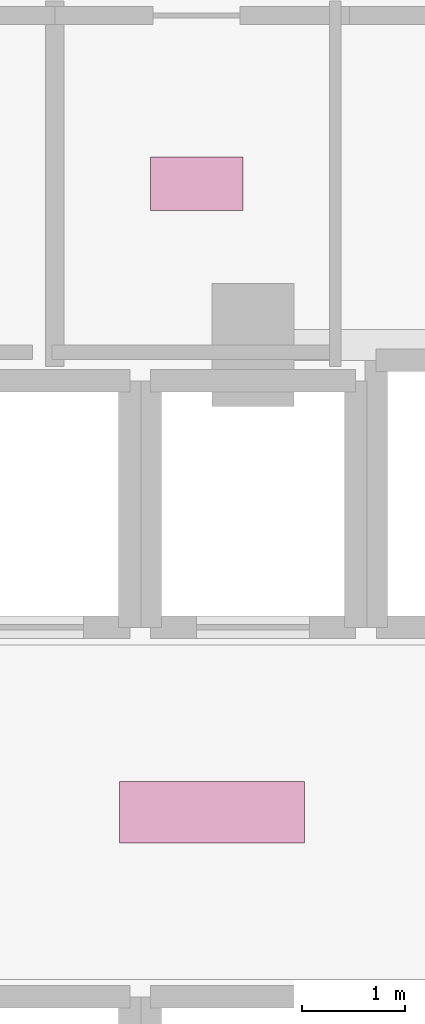
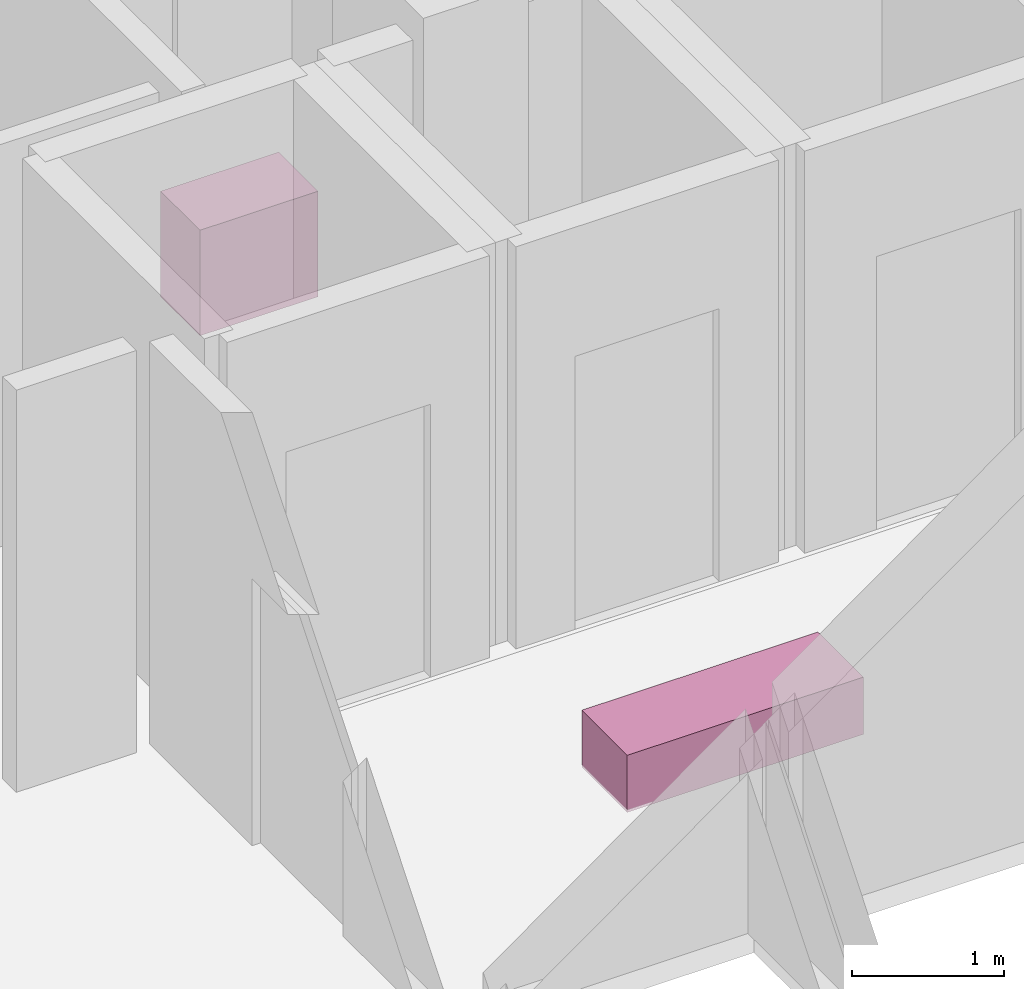
# One storey, part 34 of 34: 2 furnishings.
"""IFC4 building model written with IfcOpenShell, lengths in metres."""

import ifcopenshell
import ifcopenshell.guid

model = None  # the IFC model being written
_history = None  # IfcOwnerHistory: only IFC2X3 demands one
_inside = {}  # id of a spatial element -> (the spatial element, [elements in it])
_under = {}  # id of a project, library or spatial element -> (it, [spatial elements below it])
_declared = {}  # id of a project -> (the project, [libraries it declares])
_typed = {}  # id of a type object -> (the type object, [elements of that type])
_made_of = {}  # id of a material, layer set ... -> (it, [elements and type objects made of it])


def new_model(schema):
    """Start an empty IFC model of exactly this schema.

    Asked for "IFC4X3", IfcOpenShell would pick the latest addendum, in which some entities
    have other attributes; the version numbers below select the first issue.
    IFC2X3 requires an IfcOwnerHistory on every rooted entity: one is made here for all.
    """
    global model, _history
    if schema == "IFC4X3":
        model = ifcopenshell.file(schema_version=(4, 3, 0, 0))
    else:
        model = ifcopenshell.file(schema=schema)
    _inside.clear()
    _under.clear()
    _declared.clear()
    _typed.clear()
    _made_of.clear()
    _history = None
    if model.schema == "IFC2X3":
        org = make("IfcOrganization", Name="unknown")
        user = make(
            "IfcPersonAndOrganization",
            ThePerson=make("IfcPerson", FamilyName="unknown"),
            TheOrganization=org,
        )
        app = make(
            "IfcApplication",
            ApplicationDeveloper=org,
            Version="unknown",
            ApplicationFullName="unknown",
            ApplicationIdentifier="unknown",
        )
        _history = make(
            "IfcOwnerHistory",
            OwningUser=user,
            OwningApplication=app,
            ChangeAction="ADDED",
            CreationDate=0,
        )
    return model


def make(cls, **values):
    """One entity of the class cls with the attributes given. An attribute that is None is left unset."""
    return model.create_entity(
        cls, **{name: value for name, value in values.items() if value is not None}
    )


def rooted(cls, **values):
    """An entity with a GlobalId (a new one), such as an element, a storey or a relation."""
    return make(cls, GlobalId=ifcopenshell.guid.new(), OwnerHistory=_history, **values)


def si_unit(unit_type, name, prefix=None):
    """IfcSIUnit, for example si_unit("LENGTHUNIT", "METRE", prefix="MILLI")."""
    return make("IfcSIUnit", UnitType=unit_type, Prefix=prefix, Name=name)


def assignment(units):
    """IfcUnitAssignment: the units of a project."""
    return None if units is None else make("IfcUnitAssignment", Units=units)


def point(xyz):
    """IfcCartesianPoint."""
    return None if xyz is None else make("IfcCartesianPoint", Coordinates=xyz)


def direction(xyz):
    """IfcDirection."""
    return None if xyz is None else make("IfcDirection", DirectionRatios=xyz)


def frame(location, z_axis=None, x_axis=None):
    """IfcAxis2Placement3D, a coordinate frame: its origin and axes. An axis left out is left unset."""
    return make(
        "IfcAxis2Placement3D",
        Location=point(location),
        Axis=direction(z_axis),
        RefDirection=direction(x_axis),
    )


def frame_2d(location, x_axis=None):
    """IfcAxis2Placement2D, a coordinate frame in the plane: its origin and x axis."""
    return make(
        "IfcAxis2Placement2D", Location=point(location), RefDirection=direction(x_axis)
    )


def origin():
    """The frame at (0, 0, 0) with its axes left unset."""
    return frame((0.0, 0.0, 0.0))


def origin_2d():
    """The frame at (0, 0) in the plane with its x axis left unset."""
    return frame_2d((0.0, 0.0))


def place(relative_to, where):
    """IfcLocalPlacement: puts the frame where relative to a parent placement (None: the world)."""
    return make(
        "IfcLocalPlacement", PlacementRelTo=relative_to, RelativePlacement=where
    )


def context(
    kind, dimensions, precision=None, world=None, true_north=None, identifier=None
):
    """IfcGeometricRepresentationContext, for example the 3D "Model" context."""
    return make(
        "IfcGeometricRepresentationContext",
        ContextIdentifier=identifier,
        ContextType=kind,
        CoordinateSpaceDimension=dimensions,
        Precision=precision,
        WorldCoordinateSystem=world,
        TrueNorth=true_north,
    )


def subcontext(parent, identifier, kind, view, scale=None):
    """IfcGeometricRepresentationSubContext, for example "Body" below "Model"."""
    return make(
        "IfcGeometricRepresentationSubContext",
        ContextIdentifier=identifier,
        ContextType=kind,
        ParentContext=parent,
        TargetScale=scale,
        TargetView=view,
    )


def project(units=None, contexts=None):
    """IfcProject with its units and contexts."""
    return rooted(
        "IfcProject",
        Name="project",
        RepresentationContexts=contexts,
        UnitsInContext=assignment(units),
    )


def spatial(cls, under=None, at=None, **own):
    """A site, building, storey or space (cls), placed at a placement, below another one or the project."""
    s = rooted(cls, ObjectPlacement=at, **own)
    if under is not None:
        _under.setdefault(under.id(), (under, []))[1].append(s)
    return s


def profile(cls, at=None, kind="AREA", **sizes):
    """A parametric profile (cls). Its sizes go by their IFC names, for example OverallWidth=200.0."""
    return make(cls, ProfileType=kind, Position=at, **sizes)


def rectangle(**sizes):
    """IfcRectangleProfileDef."""
    return profile("IfcRectangleProfileDef", **sizes)


def extrude(swept, where, along, depth):
    """IfcExtrudedAreaSolid: the profile swept, set in the frame where, extruded along a direction by depth."""
    return make(
        "IfcExtrudedAreaSolid",
        SweptArea=swept,
        Position=where,
        ExtrudedDirection=direction(along),
        Depth=depth,
    )


def shape(context_of_items, identifier, shape_type, items):
    """IfcShapeRepresentation: the items that make up one representation, for example the "Body"."""
    return make(
        "IfcShapeRepresentation",
        ContextOfItems=context_of_items,
        RepresentationIdentifier=identifier,
        RepresentationType=shape_type,
        Items=items,
    )


def material(Name=None, Category=None):
    """IfcMaterial."""
    return make("IfcMaterial", Name=Name, Category=Category)


def made_of(thing, what):
    """Note that an element or type object is made of a material, layer set ...; save() writes the relation."""
    if what is not None:
        _made_of.setdefault(what.id(), (what, []))[1].append(thing)
    return thing


def type_object(cls, material=None, **own):
    """A type object (cls), such as IfcWallType, which elements share."""
    return made_of(rooted(cls, **own), material)


def element(
    cls,
    number,
    at=None,
    inside=None,
    cuts=None,
    type_object=None,
    material=None,
    context=None,
    identifier="Body",
    shape_type=None,
    held_by="IfcProductDefinitionShape",
    body=None,
    shapes=None,
    **own,
):
    """One element of the class cls, such as IfcWall. Its Tag is "e" and its number.

    at: its placement. inside: the storey or other place that contains it. cuts: it is an
    opening in that element (IfcRelVoidsElement). A single representation is given by context,
    identifier, shape_type and body (its items); several are given by shapes. held_by: the class
    of the entity that holds the representations. save() writes the other relations.
    """
    e = rooted(cls, Tag="e%d" % number, ObjectPlacement=at, **own)
    if body is not None:
        shapes = [shape(context, identifier, shape_type, body)]
    if shapes is not None:
        e.Representation = make(held_by, Representations=shapes)
    if inside is not None:
        _inside.setdefault(inside.id(), (inside, []))[1].append(e)
    if cuts is not None:
        rooted(
            "IfcRelVoidsElement", RelatingBuildingElement=cuts, RelatedOpeningElement=e
        )
    if type_object is not None:
        _typed.setdefault(type_object.id(), (type_object, []))[1].append(e)
    return made_of(e, material)


def aggregate(whole, parts):
    """IfcRelAggregates: a whole, such as a stair, and the parts it consists of."""
    return rooted("IfcRelAggregates", RelatingObject=whole, RelatedObjects=parts)


def save(model, path):
    """Write the relations noted so far, then the file.

    IfcRelAggregates (storeys below a building ...), IfcRelContainedInSpatialStructure (elements
    in a storey), IfcRelDefinesByType, IfcRelAssociatesMaterial and IfcRelDeclares: one each for
    every whole, place, type object, material and project.
    """
    for whole, parts in _under.values():
        aggregate(whole, parts)
    for where, things in _inside.values():
        rooted(
            "IfcRelContainedInSpatialStructure",
            RelatedElements=things,
            RelatingStructure=where,
        )
    for kind, things in _typed.values():
        rooted("IfcRelDefinesByType", RelatedObjects=things, RelatingType=kind)
    for what, things in _made_of.values():
        rooted("IfcRelAssociatesMaterial", RelatedObjects=things, RelatingMaterial=what)
    for by, libraries in _declared.values():
        rooted("IfcRelDeclares", RelatingContext=by, RelatedDefinitions=libraries)
    model.write(path)


model = new_model("IFC4")

# Units and contexts
model_context = context("Model", 3, precision=1e-05, world=origin(), true_north=direction((0.0, 1.0)))
body_context = subcontext(model_context, "Body", "Model", "MODEL_VIEW")
ifc_project = project(units=[si_unit("LENGTHUNIT", "METRE"), si_unit("AREAUNIT", "SQUARE_METRE"), si_unit("VOLUMEUNIT", "CUBIC_METRE"), si_unit("PLANEANGLEUNIT", "RADIAN"), si_unit("MASSUNIT", "GRAM", prefix="KILO")], contexts=[model_context])

# Site, building, storey
site_placement = place(None, origin())
site = spatial("IfcSite", under=ifc_project, at=site_placement, CompositionType="ELEMENT")
building_placement = place(site_placement, origin())
building = spatial("IfcBuilding", under=site, at=building_placement, Name="Vorneva Point Tower", CompositionType="ELEMENT")
storey_placement = place(building_placement, frame((0.0, 0.0, 31.0)))
storey = spatial("IfcBuildingStorey", under=building, at=storey_placement, Name="L07", CompositionType="ELEMENT", Elevation=31.0)

# Furnishings
ifc_material_1 = material(Name="Engineered oak fire-rated door leaf", Category="wood")
furniture_type_1 = type_object("IfcFurnitureType", Name="FUR-BNC-1800", AssemblyPlace="NOTDEFINED", PredefinedType="NOTDEFINED", material=ifc_material_1)
furnishing_1_placement = place(storey_placement, frame((35.0, 26.0, -0.0048828125), z_axis=(0.0, 0.0, 1.0), x_axis=(1.0, 0.0, 0.0)))
element("IfcFurnishingElement", 1, at=furnishing_1_placement, inside=storey, type_object=furniture_type_1, Name="L07 Lift Lobby Seating Bench", ObjectType="L07 Lift Lobby Seating Bench", context=body_context, shape_type="SweptSolid", body=[
    extrude(rectangle(XDim=1.800048828125, YDim=0.60009765625, at=origin_2d()), origin(), (0.0, 0.0, 1.0), 0.4599609375),
])
ifc_material_2 = material(Name="Vitreous china and granite top", Category="masonry")
furniture_type_2 = type_object("IfcFurnitureType", Name="FUR-VAN-900", AssemblyPlace="NOTDEFINED", PredefinedType="NOTDEFINED", material=ifc_material_2)
furnishing_2_placement = place(storey_placement, frame((34.85009765625, 32.1201171875, -0.005126953125), z_axis=(0.0, 0.0, 1.0), x_axis=(1.0, 0.0, 0.0)))
element("IfcFurnishingElement", 2, at=furnishing_2_placement, inside=storey, type_object=furniture_type_2, Name="L07 Public Male WC Vanity Unit", ObjectType="L07 Public Male WC Vanity Unit", context=body_context, shape_type="SweptSolid", body=[
    extrude(rectangle(XDim=0.89990234375, YDim=0.52001953125, at=origin_2d()), origin(), (0.0, 0.0, 1.0), 0.85009765625),
])

save(model, "model.ifc")
